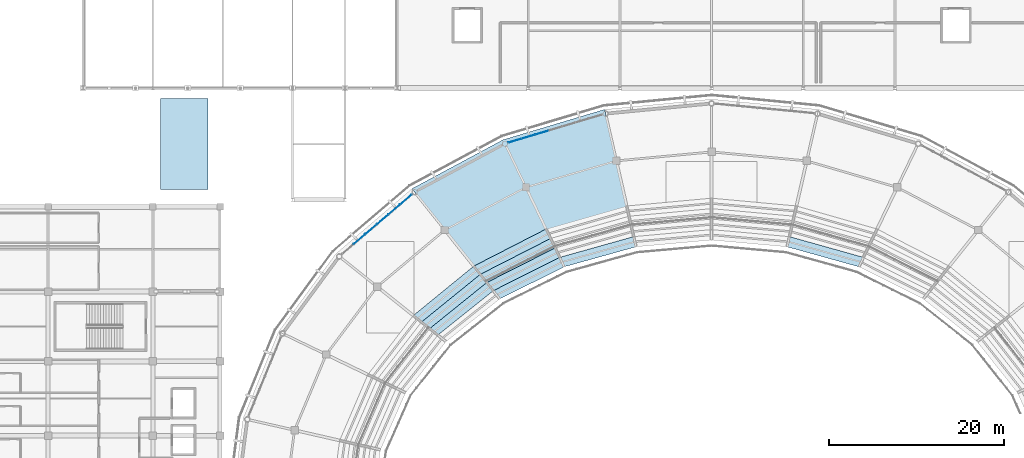
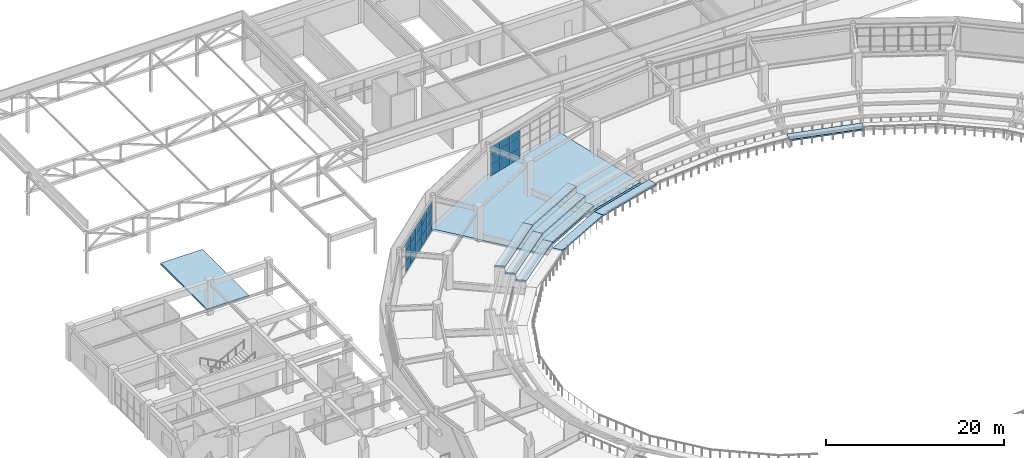
# One storey, part 84 of 122: 24 plates, 11 slabs, 2 elements without a shape of their own.
"""IFC4 building model written with IfcOpenShell, lengths in metres."""

from ifc_helpers import new_model, si_unit, direction, frame, origin, origin_2d, place, context, subcontext, project, spatial, polyline, rectangle, outline, extrude, material, layer, layer_set, type_object, element, aggregate, save


model = new_model("IFC4")

# Units and contexts
model_context = context("Model", 3, precision=1e-05, world=origin(), true_north=direction((0.0, 1.0)))
body_context = subcontext(model_context, "Body", "Model", "MODEL_VIEW")
ifc_project = project(units=[si_unit("LENGTHUNIT", "METRE"), si_unit("AREAUNIT", "SQUARE_METRE"), si_unit("VOLUMEUNIT", "CUBIC_METRE"), si_unit("PLANEANGLEUNIT", "RADIAN"), si_unit("MASSUNIT", "GRAM", prefix="KILO")], contexts=[model_context])

# Site, building, storey
site_placement = place(None, origin())
site = spatial("IfcSite", under=ifc_project, at=site_placement, CompositionType="ELEMENT")
building_placement = place(site_placement, origin())
building = spatial("IfcBuilding", under=site, at=building_placement, Name="Cuetzalor Civic Arena", CompositionType="ELEMENT")
storey_placement = place(building_placement, frame((0.0, 0.0, 16.199951171875)))
storey = spatial("IfcBuildingStorey", under=building, at=storey_placement, Name="L03", CompositionType="ELEMENT", Elevation=16.199951171875)

# Curtain wall, plates
ifc_material_1 = material(Name="Anodised dark bronze aluminium and low-E solar glass", Category="aluminium")
curtain_wall_type_1 = type_object("IfcCurtainWallType", Name="UnitisedCW_11300x4050", PredefinedType="USERDEFINED", material=ifc_material_1)
curtain_wall_1_placement = place(storey_placement, origin())
curtain_wall_1 = element("IfcCurtainWall", 1, at=curtain_wall_1_placement, inside=storey, type_object=curtain_wall_type_1, Name="Drum Triangle Foyer Curtain Wall L03-048", ObjectType="UNITISED CURTAIN WALL", PredefinedType="USERDEFINED")
ifc_material_2 = material(Name="Acoustic laminated solar control glass", Category="glass")
ifc_layer_1 = layer(ifc_material_2, 0.0439453125)
ifc_layer_set_1 = layer_set([ifc_layer_1], Name="Acoustic laminated solar control glass")
plate_type = type_object("IfcPlateType", Name="AcousticTripleGlazedPanel_44", PredefinedType="CURTAIN_PANEL", material=ifc_layer_set_1)
plate_1_placement = place(storey_placement, frame((-22.532470703125, 42.279296875, 0.06494140625), z_axis=(0.0, 0.0, 1.0), x_axis=(0.958193690548, 0.286120344251, 0.0)))
plate_1 = element("IfcPlate", 2, at=plate_1_placement, type_object=plate_type, Name="CW-15 panel 1.1", PredefinedType="CURTAIN_PANEL", context=body_context, shape_type="SweptSolid", body=[
    extrude(rectangle(XDim=1.518310546875, YDim=0.0439453125, at=origin_2d()), origin(), (0.0, 0.0, 1.0), 1.361572265625),
])
plate_2_placement = place(storey_placement, frame((-22.532470703125, 42.279296875, 1.491455078125), z_axis=(0.0, 0.0, 1.0), x_axis=(0.958193690548, 0.286120344251, 0.0)))
plate_2 = element("IfcPlate", 3, at=plate_2_placement, type_object=plate_type, Name="CW-15 panel 1.2", PredefinedType="CURTAIN_PANEL", context=body_context, shape_type="SweptSolid", body=[
    extrude(rectangle(XDim=1.518310546875, YDim=0.0439453125, at=origin_2d()), origin(), (0.0, 0.0, 1.0), 1.39404296875),
])
plate_3_placement = place(storey_placement, frame((-22.532470703125, 42.279296875, 2.950439453125), z_axis=(0.0, 0.0, 1.0), x_axis=(0.958193690548, 0.286120344251, 0.0)))
plate_3 = element("IfcPlate", 4, at=plate_3_placement, type_object=plate_type, Name="CW-15 panel 1.3", PredefinedType="CURTAIN_PANEL", context=body_context, shape_type="SweptSolid", body=[
    extrude(rectangle(XDim=1.518310546875, YDim=0.0439453125, at=origin_2d()), origin(), (0.0, 0.0, 1.0), 1.03759765625),
])
plate_4_placement = place(storey_placement, frame((-20.999755859375, 42.73681640625, 0.06494140625), z_axis=(0.0, 0.0, 1.0), x_axis=(0.958193690548, 0.286120344251, 0.0)))
plate_4 = element("IfcPlate", 5, at=plate_4_placement, type_object=plate_type, Name="CW-15 panel 2.1", PredefinedType="CURTAIN_PANEL", context=body_context, shape_type="SweptSolid", body=[
    extrude(rectangle(XDim=1.55078125, YDim=0.0439453125, at=origin_2d()), origin(), (0.0, 0.0, 1.0), 1.361572265625),
])
plate_5_placement = place(storey_placement, frame((-20.999755859375, 42.73681640625, 1.491455078125), z_axis=(0.0, 0.0, 1.0), x_axis=(0.958193690548, 0.286120344251, 0.0)))
plate_5 = element("IfcPlate", 6, at=plate_5_placement, type_object=plate_type, Name="CW-15 panel 2.2", PredefinedType="CURTAIN_PANEL", context=body_context, shape_type="SweptSolid", body=[
    extrude(rectangle(XDim=1.55078125, YDim=0.0439453125, at=origin_2d()), origin(), (0.0, 0.0, 1.0), 1.39404296875),
])
plate_6_placement = place(storey_placement, frame((-20.999755859375, 42.73681640625, 2.950439453125), z_axis=(0.0, 0.0, 1.0), x_axis=(0.958193690548, 0.286120344251, 0.0)))
plate_6 = element("IfcPlate", 7, at=plate_6_placement, type_object=plate_type, Name="CW-15 panel 2.3", PredefinedType="CURTAIN_PANEL", context=body_context, shape_type="SweptSolid", body=[
    extrude(rectangle(XDim=1.55078125, YDim=0.0439453125, at=origin_2d()), origin(), (0.0, 0.0, 1.0), 1.03759765625),
])
plate_7_placement = place(storey_placement, frame((-19.45166015625, 43.19921875, 0.06494140625), z_axis=(0.0, 0.0, 1.0), x_axis=(0.958193690548, 0.286120344251, 0.0)))
plate_7 = element("IfcPlate", 8, at=plate_7_placement, type_object=plate_type, Name="CW-15 panel 3.1", PredefinedType="CURTAIN_PANEL", context=body_context, shape_type="SweptSolid", body=[
    extrude(rectangle(XDim=1.55078125, YDim=0.0439453125, at=origin_2d()), origin(), (0.0, 0.0, 1.0), 1.361572265625),
])
plate_8_placement = place(storey_placement, frame((-19.45166015625, 43.19921875, 1.491455078125), z_axis=(0.0, 0.0, 1.0), x_axis=(0.958193690548, 0.286120344251, 0.0)))
plate_8 = element("IfcPlate", 9, at=plate_8_placement, type_object=plate_type, Name="CW-15 panel 3.2", PredefinedType="CURTAIN_PANEL", context=body_context, shape_type="SweptSolid", body=[
    extrude(rectangle(XDim=1.55078125, YDim=0.0439453125, at=origin_2d()), origin(), (0.0, 0.0, 1.0), 1.39404296875),
])
plate_9_placement = place(storey_placement, frame((-19.45166015625, 43.19921875, 2.950439453125), z_axis=(0.0, 0.0, 1.0), x_axis=(0.958193690548, 0.286120344251, 0.0)))
plate_9 = element("IfcPlate", 10, at=plate_9_placement, type_object=plate_type, Name="CW-15 panel 3.3", PredefinedType="CURTAIN_PANEL", context=body_context, shape_type="SweptSolid", body=[
    extrude(rectangle(XDim=1.55078125, YDim=0.0439453125, at=origin_2d()), origin(), (0.0, 0.0, 1.0), 1.03759765625),
])
aggregate(curtain_wall_1, [plate_1, plate_2, plate_3, plate_4, plate_5, plate_6, plate_7, plate_8, plate_9])

ifc_material_3 = material(Name="Anodised dark bronze aluminium and low-E solar glass", Category="aluminium")
curtain_wall_type_2 = type_object("IfcCurtainWallType", Name="UnitisedCW_10550x4050", PredefinedType="USERDEFINED", material=ifc_material_3)
curtain_wall_2_placement = place(storey_placement, origin())
curtain_wall_2 = element("IfcCurtainWall", 11, at=curtain_wall_2_placement, inside=storey, type_object=curtain_wall_type_2, Name="Drum Triangle Foyer Curtain Wall L03-049", ObjectType="UNITISED CURTAIN WALL", PredefinedType="USERDEFINED")
plate_10_placement = place(storey_placement, frame((-40.332763671875, 31.0, 0.06494140625), z_axis=(0.0, 0.0, 1.0), x_axis=(0.760677142663, 0.64913040649, 0.0)))
plate_10 = element("IfcPlate", 12, at=plate_10_placement, type_object=plate_type, Name="CW-16 panel 2.1", PredefinedType="CURTAIN_PANEL", context=body_context, shape_type="SweptSolid", body=[
    extrude(rectangle(XDim=1.690185546875, YDim=0.0439453125, at=origin_2d()), origin(), (0.0, 0.0, 1.0), 1.361572265625),
])
plate_11_placement = place(storey_placement, frame((-40.332763671875, 31.0, 1.491455078125), z_axis=(0.0, 0.0, 1.0), x_axis=(0.760677142663, 0.64913040649, 0.0)))
plate_11 = element("IfcPlate", 13, at=plate_11_placement, type_object=plate_type, Name="CW-16 panel 2.2", PredefinedType="CURTAIN_PANEL", context=body_context, shape_type="SweptSolid", body=[
    extrude(rectangle(XDim=1.690185546875, YDim=0.0439453125, at=origin_2d()), origin(), (0.0, 0.0, 1.0), 1.39404296875),
])
plate_12_placement = place(storey_placement, frame((-40.332763671875, 31.0, 2.950439453125), z_axis=(0.0, 0.0, 1.0), x_axis=(0.760677142663, 0.64913040649, 0.0)))
plate_12 = element("IfcPlate", 14, at=plate_12_placement, type_object=plate_type, Name="CW-16 panel 2.3", PredefinedType="CURTAIN_PANEL", context=body_context, shape_type="SweptSolid", body=[
    extrude(rectangle(XDim=1.690185546875, YDim=0.0439453125, at=origin_2d()), origin(), (0.0, 0.0, 1.0), 1.03759765625),
])
plate_13_placement = place(storey_placement, frame((-38.997802734375, 32.13916015625, 0.06494140625), z_axis=(0.0, 0.0, 1.0), x_axis=(0.760677142663, 0.64913040649, 0.0)))
plate_13 = element("IfcPlate", 15, at=plate_13_placement, type_object=plate_type, Name="CW-16 panel 3.1", PredefinedType="CURTAIN_PANEL", context=body_context, shape_type="SweptSolid", body=[
    extrude(rectangle(XDim=1.690185546875, YDim=0.0439453125, at=origin_2d()), origin(), (0.0, 0.0, 1.0), 1.361572265625),
])
plate_14_placement = place(storey_placement, frame((-38.997802734375, 32.13916015625, 1.491455078125), z_axis=(0.0, 0.0, 1.0), x_axis=(0.760677142663, 0.64913040649, 0.0)))
plate_14 = element("IfcPlate", 16, at=plate_14_placement, type_object=plate_type, Name="CW-16 panel 3.2", PredefinedType="CURTAIN_PANEL", context=body_context, shape_type="SweptSolid", body=[
    extrude(rectangle(XDim=1.690185546875, YDim=0.0439453125, at=origin_2d()), origin(), (0.0, 0.0, 1.0), 1.39404296875),
])
plate_15_placement = place(storey_placement, frame((-38.997802734375, 32.13916015625, 2.950439453125), z_axis=(0.0, 0.0, 1.0), x_axis=(0.760677142663, 0.64913040649, 0.0)))
plate_15 = element("IfcPlate", 17, at=plate_15_placement, type_object=plate_type, Name="CW-16 panel 3.3", PredefinedType="CURTAIN_PANEL", context=body_context, shape_type="SweptSolid", body=[
    extrude(rectangle(XDim=1.690185546875, YDim=0.0439453125, at=origin_2d()), origin(), (0.0, 0.0, 1.0), 1.03759765625),
])
plate_16_placement = place(storey_placement, frame((-37.66259765625, 33.278564453125, 0.06494140625), z_axis=(0.0, 0.0, 1.0), x_axis=(0.760677142663, 0.64913040649, 0.0)))
plate_16 = element("IfcPlate", 18, at=plate_16_placement, type_object=plate_type, Name="CW-16 panel 4.1", PredefinedType="CURTAIN_PANEL", context=body_context, shape_type="SweptSolid", body=[
    extrude(rectangle(XDim=1.690185546875, YDim=0.0439453125, at=origin_2d()), origin(), (0.0, 0.0, 1.0), 1.361572265625),
])
plate_17_placement = place(storey_placement, frame((-37.66259765625, 33.278564453125, 1.491455078125), z_axis=(0.0, 0.0, 1.0), x_axis=(0.760677142663, 0.64913040649, 0.0)))
plate_17 = element("IfcPlate", 19, at=plate_17_placement, type_object=plate_type, Name="CW-16 panel 4.2", PredefinedType="CURTAIN_PANEL", context=body_context, shape_type="SweptSolid", body=[
    extrude(rectangle(XDim=1.690185546875, YDim=0.0439453125, at=origin_2d()), origin(), (0.0, 0.0, 1.0), 1.39404296875),
])
plate_18_placement = place(storey_placement, frame((-37.66259765625, 33.278564453125, 2.950439453125), z_axis=(0.0, 0.0, 1.0), x_axis=(0.760677142663, 0.64913040649, 0.0)))
plate_18 = element("IfcPlate", 20, at=plate_18_placement, type_object=plate_type, Name="CW-16 panel 4.3", PredefinedType="CURTAIN_PANEL", context=body_context, shape_type="SweptSolid", body=[
    extrude(rectangle(XDim=1.690185546875, YDim=0.0439453125, at=origin_2d()), origin(), (0.0, 0.0, 1.0), 1.03759765625),
])
plate_19_placement = place(storey_placement, frame((-36.327392578125, 34.41796875, 0.06494140625), z_axis=(0.0, 0.0, 1.0), x_axis=(0.760677142663, 0.64913040649, 0.0)))
plate_19 = element("IfcPlate", 21, at=plate_19_placement, type_object=plate_type, Name="CW-16 panel 5.1", PredefinedType="CURTAIN_PANEL", context=body_context, shape_type="SweptSolid", body=[
    extrude(rectangle(XDim=1.690185546875, YDim=0.0439453125, at=origin_2d()), origin(), (0.0, 0.0, 1.0), 1.361572265625),
])
plate_20_placement = place(storey_placement, frame((-36.327392578125, 34.41796875, 1.491455078125), z_axis=(0.0, 0.0, 1.0), x_axis=(0.760677142663, 0.64913040649, 0.0)))
plate_20 = element("IfcPlate", 22, at=plate_20_placement, type_object=plate_type, Name="CW-16 panel 5.2", PredefinedType="CURTAIN_PANEL", context=body_context, shape_type="SweptSolid", body=[
    extrude(rectangle(XDim=1.690185546875, YDim=0.0439453125, at=origin_2d()), origin(), (0.0, 0.0, 1.0), 1.39404296875),
])
plate_21_placement = place(storey_placement, frame((-36.327392578125, 34.41796875, 2.950439453125), z_axis=(0.0, 0.0, 1.0), x_axis=(0.760677142663, 0.64913040649, 0.0)))
plate_21 = element("IfcPlate", 23, at=plate_21_placement, type_object=plate_type, Name="CW-16 panel 5.3", PredefinedType="CURTAIN_PANEL", context=body_context, shape_type="SweptSolid", body=[
    extrude(rectangle(XDim=1.690185546875, YDim=0.0439453125, at=origin_2d()), origin(), (0.0, 0.0, 1.0), 1.03759765625),
])
plate_22_placement = place(storey_placement, frame((-35.004638671875, 35.546630859375, 0.06494140625), z_axis=(0.0, 0.0, 1.0), x_axis=(0.760677142663, 0.64913040649, 0.0)))
plate_22 = element("IfcPlate", 24, at=plate_22_placement, type_object=plate_type, Name="CW-16 panel 6.1", PredefinedType="CURTAIN_PANEL", context=body_context, shape_type="SweptSolid", body=[
    extrude(rectangle(XDim=1.65771484375, YDim=0.0439453125, at=origin_2d()), origin(), (0.0, 0.0, 1.0), 1.361572265625),
])
plate_23_placement = place(storey_placement, frame((-35.004638671875, 35.546630859375, 1.491455078125), z_axis=(0.0, 0.0, 1.0), x_axis=(0.760677142663, 0.64913040649, 0.0)))
plate_23 = element("IfcPlate", 25, at=plate_23_placement, type_object=plate_type, Name="CW-16 panel 6.2", PredefinedType="CURTAIN_PANEL", context=body_context, shape_type="SweptSolid", body=[
    extrude(rectangle(XDim=1.65771484375, YDim=0.0439453125, at=origin_2d()), origin(), (0.0, 0.0, 1.0), 1.39404296875),
])
plate_24_placement = place(storey_placement, frame((-35.004638671875, 35.546630859375, 2.950439453125), z_axis=(0.0, 0.0, 1.0), x_axis=(0.760677142663, 0.64913040649, 0.0)))
plate_24 = element("IfcPlate", 26, at=plate_24_placement, type_object=plate_type, Name="CW-16 panel 6.3", PredefinedType="CURTAIN_PANEL", context=body_context, shape_type="SweptSolid", body=[
    extrude(rectangle(XDim=1.65771484375, YDim=0.0439453125, at=origin_2d()), origin(), (0.0, 0.0, 1.0), 1.03759765625),
])
aggregate(curtain_wall_2, [plate_10, plate_11, plate_12, plate_13, plate_14, plate_15, plate_16, plate_17, plate_18, plate_19, plate_20, plate_21, plate_22, plate_23, plate_24])

# Slabs
ifc_material_4 = material(Name="Concrete C40/50", Category="concrete")
ifc_layer_2 = layer(ifc_material_4, 0.219970703125)
ifc_layer_set_2 = layer_set([ifc_layer_2], Name="Concrete C40/50")
slab_type_1 = type_object("IfcSlabType", Name="LiftShaftRoofCapSlab_220", PredefinedType="ROOF", material=ifc_layer_set_2)
slab_1_placement = place(storey_placement, frame((0.0, 0.0, -1.199951171875)))
element("IfcSlab", 27, at=slab_1_placement, inside=storey, type_object=slab_type_1, Name="Stair Core Enclosure Cap Slab ST-23", PredefinedType="ROOF", context=body_context, shape_type="SweptSolid", body=[
    extrude(outline(polyline([(-63.1201171875, 36.679931640625), (-57.679931640625, 36.679931640625), (-57.679931640625, 47.1201171875), (-63.1201171875, 47.1201171875), (-63.1201171875, 36.679931640625)])), origin(), (0.0, 0.0, 1.0), 0.219970703125),
])
ifc_material_5 = material(Name="Concrete C35/45", Category="concrete")
ifc_layer_3 = layer(ifc_material_5, 0.280029296875)
ifc_layer_set_3 = layer_set([ifc_layer_3], Name="Concrete C35/45")
slab_type_2 = type_object("IfcSlabType", Name="SuspendedFloorSlab_280", PredefinedType="FLOOR", material=ifc_layer_set_3)
slab_2_placement = place(storey_placement, frame((0.0, 0.0, -0.280029296875)))
element("IfcSlab", 28, at=slab_2_placement, inside=storey, type_object=slab_type_2, Name="Arena Concourse Sector Slab L03-05", PredefinedType="FLOOR", context=body_context, shape_type="SweptSolid", body=[
    extrude(outline(polyline([(-9.234619140625, 32.66015625), (-18.006103515625, 30.1826171875), (-25.874755859375, 26.19140625), (-34.322998046875, 36.78515625), (-23.88525390625, 42.390625), (-12.249755859375, 45.870361328125), (-9.234619140625, 32.66015625)])), origin(), (0.0, 0.0, 1.0), 0.280029296875),
])
ifc_material_6 = material(Name="Precast concrete C45/55", Category="concrete")
ifc_layer_4 = layer(ifc_material_6, 0.195068359375)
ifc_layer_set_4 = layer_set([ifc_layer_4], Name="Precast concrete C45/55")
slab_type_3 = type_object("IfcSlabType", Name="UpperBowlSeatingTier_160", PredefinedType="USERDEFINED", material=ifc_layer_set_4)
slab_3_placement = place(storey_placement, frame((0.0, 0.0, 0.9111328125)))
element("IfcSlab", 29, at=slab_3_placement, inside=storey, type_object=slab_type_3, Name="Stand Upper Tier Bay 06 Row 1", ObjectType="SEATING TIER", PredefinedType="USERDEFINED", context=body_context, shape_type="SweptSolid", body=[
    extrude(outline(polyline([(16.878173828125, 27.83984375), (8.656005859375, 30.125244140625), (8.923095703125, 31.295166015625), (17.398681640625, 28.921142578125), (16.878173828125, 27.83984375)])), origin(), (0.0, 0.0, 1.0), 0.19482421875),
])
slab_4_placement = place(storey_placement, frame((0.0, 0.0, 0.9111328125)))
element("IfcSlab", 30, at=slab_4_placement, inside=storey, type_object=slab_type_3, Name="Stand Upper Tier Bay 09 Row 1", ObjectType="SEATING TIER", PredefinedType="USERDEFINED", context=body_context, shape_type="SweptSolid", body=[
    extrude(outline(polyline([(-8.656005859375, 30.125244140625), (-16.878173828125, 27.83984375), (-17.398681640625, 28.921142578125), (-8.923095703125, 31.295166015625), (-8.656005859375, 30.125244140625)])), origin(), (0.0, 0.0, 1.0), 0.19482421875),
])
slab_5_placement = place(storey_placement, frame((0.0, 0.0, 0.9111328125)))
element("IfcSlab", 31, at=slab_5_placement, inside=storey, type_object=slab_type_3, Name="Stand Upper Tier Bay 10 Row 1", ObjectType="SEATING TIER", PredefinedType="USERDEFINED", context=body_context, shape_type="SweptSolid", body=[
    extrude(outline(polyline([(-16.878173828125, 27.83984375), (-24.25390625, 24.15869140625), (-25.001953125, 25.0966796875), (-17.398681640625, 28.921142578125), (-16.878173828125, 27.83984375)])), origin(), (0.0, 0.0, 1.0), 0.19482421875),
])
slab_6_placement = place(storey_placement, frame((0.0, 0.0, 1.755126953125)))
element("IfcSlab", 32, at=slab_6_placement, inside=storey, type_object=slab_type_3, Name="Stand Upper Tier Bay 10 Row 2", ObjectType="SEATING TIER", PredefinedType="USERDEFINED", context=body_context, shape_type="SweptSolid", body=[
    extrude(outline(polyline([(-17.398681640625, 28.921142578125), (-25.001953125, 25.0966796875), (-25.75, 26.034912109375), (-17.91943359375, 30.002197265625), (-17.398681640625, 28.921142578125)])), origin(), (0.0, 0.0, 1.0), 0.19482421875),
])
slab_7_placement = place(storey_placement, frame((0.0, 0.0, 2.60498046875)))
element("IfcSlab", 33, at=slab_7_placement, inside=storey, type_object=slab_type_3, Name="Stand Upper Tier Bay 10 Row 3", ObjectType="SEATING TIER", PredefinedType="USERDEFINED", context=body_context, shape_type="SweptSolid", body=[
    extrude(outline(polyline([(-17.91943359375, 30.002197265625), (-25.75, 26.034912109375), (-26.498291015625, 26.97314453125), (-18.440185546875, 31.08349609375), (-17.91943359375, 30.002197265625)])), origin(), (0.0, 0.0, 1.0), 0.195068359375),
])
slab_8_placement = place(storey_placement, frame((0.0, 0.0, 3.455078125)))
element("IfcSlab", 34, at=slab_8_placement, inside=storey, type_object=slab_type_3, Name="Stand Upper Tier Bay 10 Row 4", ObjectType="SEATING TIER", PredefinedType="USERDEFINED", context=body_context, shape_type="SweptSolid", body=[
    extrude(outline(polyline([(-18.440185546875, 31.08349609375), (-26.498291015625, 26.97314453125), (-27.24658203125, 27.911376953125), (-18.960693359375, 32.16455078125), (-18.440185546875, 31.08349609375)])), origin(), (0.0, 0.0, 1.0), 0.195068359375),
])
slab_9_placement = place(storey_placement, frame((0.0, 0.0, 1.755126953125)))
element("IfcSlab", 35, at=slab_9_placement, inside=storey, type_object=slab_type_3, Name="Stand Upper Tier Bay 11 Row 2", ObjectType="SEATING TIER", PredefinedType="USERDEFINED", context=body_context, shape_type="SweptSolid", body=[
    extrude(outline(polyline([(-25.001953125, 25.0966796875), (-31.351318359375, 20.013916015625), (-32.28955078125, 20.76220703125), (-25.75, 26.034912109375), (-25.001953125, 25.0966796875)])), origin(), (0.0, 0.0, 1.0), 0.19482421875),
])
slab_10_placement = place(storey_placement, frame((0.0, 0.0, 2.60498046875)))
element("IfcSlab", 36, at=slab_10_placement, inside=storey, type_object=slab_type_3, Name="Stand Upper Tier Bay 11 Row 3", ObjectType="SEATING TIER", PredefinedType="USERDEFINED", context=body_context, shape_type="SweptSolid", body=[
    extrude(outline(polyline([(-25.75, 26.034912109375), (-32.28955078125, 20.76220703125), (-33.227783203125, 21.510498046875), (-26.498291015625, 26.97314453125), (-25.75, 26.034912109375)])), origin(), (0.0, 0.0, 1.0), 0.195068359375),
])
slab_11_placement = place(storey_placement, frame((0.0, 0.0, 3.455078125)))
element("IfcSlab", 37, at=slab_11_placement, inside=storey, type_object=slab_type_3, Name="Stand Upper Tier Bay 11 Row 4", ObjectType="SEATING TIER", PredefinedType="USERDEFINED", context=body_context, shape_type="SweptSolid", body=[
    extrude(outline(polyline([(-26.498291015625, 26.97314453125), (-33.227783203125, 21.510498046875), (-34.166015625, 22.258544921875), (-27.24658203125, 27.911376953125), (-26.498291015625, 26.97314453125)])), origin(), (0.0, 0.0, 1.0), 0.195068359375),
])

save(model, "model.ifc")
